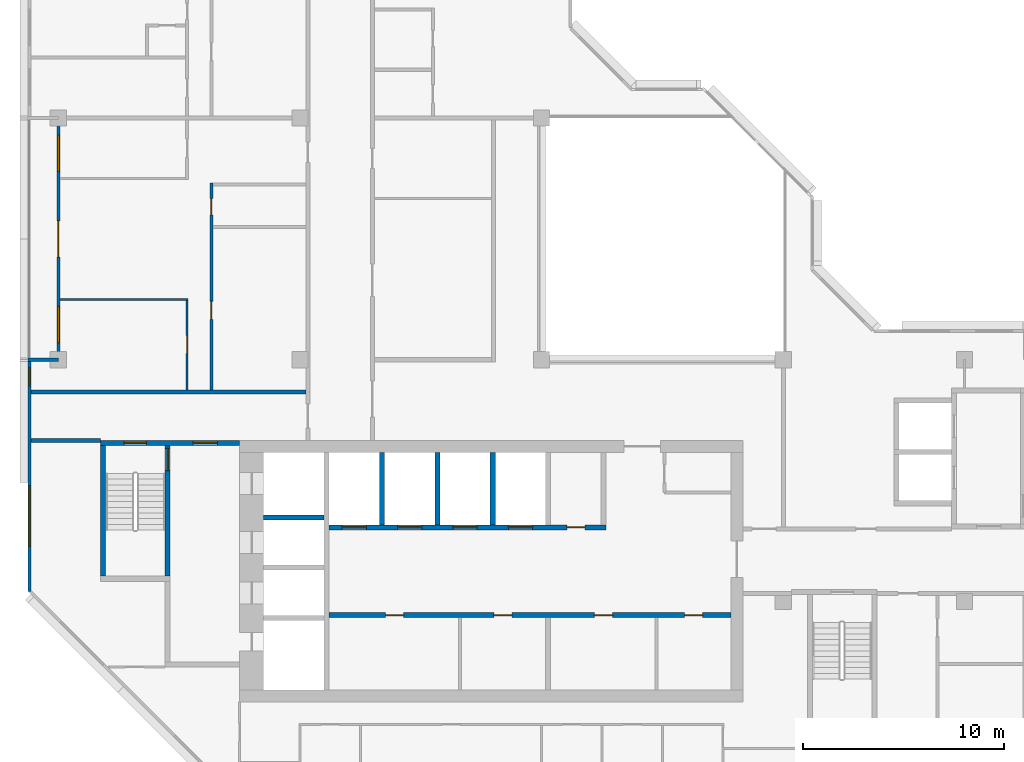
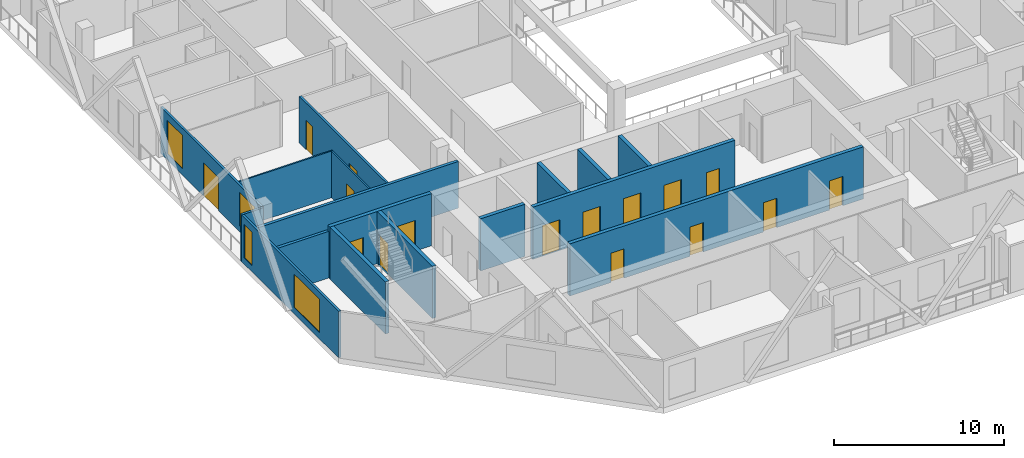
# One storey, part 5 of 13: 17 walls, 16 doors, 4 windows, 20 openings.
"""IFC4 building model written with IfcOpenShell, lengths in metres."""

from ifc_helpers import new_model, si_unit, direction, frame, frame_2d, origin, place, context, subcontext, project, spatial, rectangle, extrude, material, layer, layer_set, type_object, element, fill, save


model = new_model("IFC4")

# Units and contexts
model_context = context("Model", 3, precision=1e-05, world=origin(), true_north=direction((0.0, 1.0)))
body_context = subcontext(model_context, "Body", "Model", "MODEL_VIEW")
ifc_project = project(units=[si_unit("LENGTHUNIT", "METRE"), si_unit("AREAUNIT", "SQUARE_METRE"), si_unit("VOLUMEUNIT", "CUBIC_METRE"), si_unit("PLANEANGLEUNIT", "RADIAN"), si_unit("MASSUNIT", "GRAM", prefix="KILO")], contexts=[model_context])

# Site, building, storey
site_placement = place(None, origin())
site = spatial("IfcSite", under=ifc_project, at=site_placement, CompositionType="ELEMENT")
building_placement = place(site_placement, origin())
building = spatial("IfcBuilding", under=site, at=building_placement, Name="Chenar Terraces", CompositionType="ELEMENT")
storey_placement = place(building_placement, frame((0.0, 0.0, 288.39990234375)))
storey = spatial("IfcBuildingStorey", under=building, at=storey_placement, Name="L67", CompositionType="ELEMENT", Elevation=288.39990234375)

# Wall, openings, doors
ifc_material_1 = material(Name="Concrete C50/60", Category="concrete")
ifc_layer_1 = layer(ifc_material_1, 0.25)
ifc_layer_set_1 = layer_set([ifc_layer_1], Name="Concrete C50/60")
wall_type_1 = type_object("IfcWallType", Name="Core wall 250 Concrete C50/60", PredefinedType="SHEAR", material=ifc_layer_set_1)
wall_1_placement = place(storey_placement, frame((13.449951171875, 11.324951171875, 0.0), z_axis=(0.0, 0.0, 1.0), x_axis=(1.0, 0.0, 0.0)))
wall_1 = element("IfcWall", 1, at=wall_1_placement, inside=storey, type_object=wall_type_1, Name="Core wall SF L67", PredefinedType="SHEAR", context=body_context, shape_type="SweptSolid", body=[
    extrude(rectangle(XDim=19.949951171875, YDim=0.25, at=frame_2d((9.97509765625, 0.0))), origin(), (0.0, 0.0, 1.0), 3.75),
])
opening_1_placement = place(wall_1_placement, frame((2.800048828125, 0.0, 0.0)))
opening_1 = element("IfcOpeningElement", 2, at=opening_1_placement, cuts=wall_1, Name="Opening DL67-C12", PredefinedType="OPENING", context=body_context, shape_type="SweptSolid", body=[
    extrude(rectangle(XDim=0.89990234375, YDim=2.10009765625, at=frame_2d((0.449951171875, 1.050048828125))), frame((0.0, 0.135009765625, 0.0), z_axis=(0.0, -1.0, 0.0), x_axis=(1.0, 0.0, 0.0)), (0.0, 0.0, 1.0), 0.27001953125),
])
opening_2_placement = place(wall_1_placement, frame((8.175048828125, 0.0, 0.0)))
opening_2 = element("IfcOpeningElement", 3, at=opening_2_placement, cuts=wall_1, Name="Opening DL67-C13", PredefinedType="OPENING", context=body_context, shape_type="SweptSolid", body=[
    extrude(rectangle(XDim=0.89990234375, YDim=2.10009765625, at=frame_2d((0.449951171875, 1.050048828125))), frame((0.0, 0.135009765625, 0.0), z_axis=(0.0, -1.0, 0.0), x_axis=(1.0, 0.0, 0.0)), (0.0, 0.0, 1.0), 0.27001953125),
])
opening_3_placement = place(wall_1_placement, frame((13.175048828125, 0.0, 0.0)))
opening_3 = element("IfcOpeningElement", 4, at=opening_3_placement, cuts=wall_1, Name="Opening DL67-C14", PredefinedType="OPENING", context=body_context, shape_type="SweptSolid", body=[
    extrude(rectangle(XDim=0.89990234375, YDim=2.10009765625, at=frame_2d((0.449951171875, 1.050048828125))), frame((0.0, 0.135009765625, 0.0), z_axis=(0.0, -1.0, 0.0), x_axis=(1.0, 0.0, 0.0)), (0.0, 0.0, 1.0), 0.27001953125),
])
opening_4_placement = place(wall_1_placement, frame((17.64990234375, 0.0, 0.0)))
opening_4 = element("IfcOpeningElement", 5, at=opening_4_placement, cuts=wall_1, Name="Opening DL67-C15", PredefinedType="OPENING", context=body_context, shape_type="SweptSolid", body=[
    extrude(rectangle(XDim=0.89990234375, YDim=2.10009765625, at=frame_2d((0.449951171875, 1.050048828125))), frame((0.0, 0.135009765625, 0.0), z_axis=(0.0, -1.0, 0.0), x_axis=(1.0, 0.0, 0.0)), (0.0, 0.0, 1.0), 0.27001953125),
])
ifc_material_2 = material(Name="Steel-framed fire-resisting door leaf", Category="steel")
door_type_1 = type_object("IfcDoorType", Name="Riser fire door FD60 900 x 2100", OperationType="SINGLE_SWING_LEFT", PredefinedType="DOOR", material=ifc_material_2)
door_1_placement = place(opening_1_placement, frame((0.89990234375, 0.0, 0.0), z_axis=(0.0, 0.0, 1.0), x_axis=(-1.0, 0.0, 0.0)))
door_1 = element("IfcDoor", 6, at=door_1_placement, inside=storey, type_object=door_type_1, Name="Core room door DL67-C12", OperationType="SINGLE_SWING_LEFT", OverallHeight=2.10009765625, OverallWidth=0.89990234375, PredefinedType="DOOR", context=body_context, shape_type="SweptSolid", body=[
    extrude(rectangle(XDim=0.89990234375, YDim=2.10009765625, at=frame_2d((0.449951171875, 1.050048828125))), frame((0.0, 0.02490234375, 0.0), z_axis=(0.0, -1.0, 0.0), x_axis=(1.0, 0.0, 0.0)), (0.0, 0.0, 1.0), 0.050048828125),
])
fill(opening_1, door_1)
door_2_placement = place(opening_2_placement, frame((0.89990234375, 0.0, 0.0), z_axis=(0.0, 0.0, 1.0), x_axis=(-1.0, 0.0, 0.0)))
door_2 = element("IfcDoor", 7, at=door_2_placement, inside=storey, type_object=door_type_1, Name="Core room door DL67-C13", OperationType="SINGLE_SWING_LEFT", OverallHeight=2.10009765625, OverallWidth=0.89990234375, PredefinedType="DOOR", context=body_context, shape_type="SweptSolid", body=[
    extrude(rectangle(XDim=0.89990234375, YDim=2.10009765625, at=frame_2d((0.449951171875, 1.050048828125))), frame((0.0, 0.02490234375, 0.0), z_axis=(0.0, -1.0, 0.0), x_axis=(1.0, 0.0, 0.0)), (0.0, 0.0, 1.0), 0.050048828125),
])
fill(opening_2, door_2)
door_3_placement = place(opening_3_placement, frame((0.89990234375, 0.0, 0.0), z_axis=(0.0, 0.0, 1.0), x_axis=(-1.0, 0.0, 0.0)))
door_3 = element("IfcDoor", 8, at=door_3_placement, inside=storey, type_object=door_type_1, Name="Core room door DL67-C14", OperationType="SINGLE_SWING_LEFT", OverallHeight=2.10009765625, OverallWidth=0.89990234375, PredefinedType="DOOR", context=body_context, shape_type="SweptSolid", body=[
    extrude(rectangle(XDim=0.89990234375, YDim=2.10009765625, at=frame_2d((0.449951171875, 1.050048828125))), frame((0.0, 0.02490234375, 0.0), z_axis=(0.0, -1.0, 0.0), x_axis=(1.0, 0.0, 0.0)), (0.0, 0.0, 1.0), 0.050048828125),
])
fill(opening_3, door_3)
door_4_placement = place(opening_4_placement, frame((0.89990234375, 0.0, 0.0), z_axis=(0.0, 0.0, 1.0), x_axis=(-1.0, 0.0, 0.0)))
door_4 = element("IfcDoor", 9, at=door_4_placement, inside=storey, type_object=door_type_1, Name="Core room door DL67-C15", OperationType="SINGLE_SWING_RIGHT", OverallHeight=2.10009765625, OverallWidth=0.89990234375, PredefinedType="DOOR", context=body_context, shape_type="SweptSolid", body=[
    extrude(rectangle(XDim=0.89990234375, YDim=2.10009765625, at=frame_2d((0.449951171875, 1.050048828125))), frame((0.0, 0.02490234375, 0.0), z_axis=(0.0, -1.0, 0.0), x_axis=(1.0, 0.0, 0.0)), (0.0, 0.0, 1.0), 0.050048828125),
])
fill(opening_4, door_4)

wall_2_placement = place(storey_placement, frame((13.449951171875, 15.675048828125, 0.0), z_axis=(0.0, 0.0, 1.0), x_axis=(1.0, 0.0, 0.0)))
wall_2 = element("IfcWall", 10, at=wall_2_placement, inside=storey, type_object=wall_type_1, Name="Core wall NF L67", PredefinedType="SHEAR", context=body_context, shape_type="SweptSolid", body=[
    extrude(rectangle(XDim=13.75, YDim=0.25, at=frame_2d((6.875, 0.0))), origin(), (0.0, 0.0, 1.0), 3.75),
])
opening_5_placement = place(wall_2_placement, frame((0.64990234375, 0.0, 0.0)))
opening_5 = element("IfcOpeningElement", 11, at=opening_5_placement, cuts=wall_2, Name="Opening DL67-LD1", PredefinedType="OPENING", context=body_context, shape_type="SweptSolid", body=[
    extrude(rectangle(XDim=1.199951171875, YDim=2.199951171875, at=frame_2d((0.60009765625, 1.10009765625))), frame((0.0, 0.135009765625, 0.0), z_axis=(0.0, -1.0, 0.0), x_axis=(1.0, 0.0, 0.0)), (0.0, 0.0, 1.0), 0.27001953125),
])
opening_6_placement = place(wall_2_placement, frame((3.39990234375, 0.0, 0.0)))
opening_6 = element("IfcOpeningElement", 12, at=opening_6_placement, cuts=wall_2, Name="Opening DL67-LD2", PredefinedType="OPENING", context=body_context, shape_type="SweptSolid", body=[
    extrude(rectangle(XDim=1.199951171875, YDim=2.199951171875, at=frame_2d((0.60009765625, 1.10009765625))), frame((0.0, 0.135009765625, 0.0), z_axis=(0.0, -1.0, 0.0), x_axis=(1.0, 0.0, 0.0)), (0.0, 0.0, 1.0), 0.27001953125),
])
opening_7_placement = place(wall_2_placement, frame((6.14990234375, 0.0, 0.0)))
opening_7 = element("IfcOpeningElement", 13, at=opening_7_placement, cuts=wall_2, Name="Opening DL67-LD3", PredefinedType="OPENING", context=body_context, shape_type="SweptSolid", body=[
    extrude(rectangle(XDim=1.199951171875, YDim=2.199951171875, at=frame_2d((0.60009765625, 1.10009765625))), frame((0.0, 0.135009765625, 0.0), z_axis=(0.0, -1.0, 0.0), x_axis=(1.0, 0.0, 0.0)), (0.0, 0.0, 1.0), 0.27001953125),
])
opening_8_placement = place(wall_2_placement, frame((8.89990234375, 0.0, 0.0)))
opening_8 = element("IfcOpeningElement", 14, at=opening_8_placement, cuts=wall_2, Name="Opening DL67-LD4", PredefinedType="OPENING", context=body_context, shape_type="SweptSolid", body=[
    extrude(rectangle(XDim=1.199951171875, YDim=2.199951171875, at=frame_2d((0.60009765625, 1.10009765625))), frame((0.0, 0.135009765625, 0.0), z_axis=(0.0, -1.0, 0.0), x_axis=(1.0, 0.0, 0.0)), (0.0, 0.0, 1.0), 0.27001953125),
])
opening_9_placement = place(wall_2_placement, frame((11.800048828125, 0.0, 0.0)))
opening_9 = element("IfcOpeningElement", 15, at=opening_9_placement, cuts=wall_2, Name="Opening DL67-C16", PredefinedType="OPENING", context=body_context, shape_type="SweptSolid", body=[
    extrude(rectangle(XDim=0.89990234375, YDim=2.10009765625, at=frame_2d((0.449951171875, 1.050048828125))), frame((0.0, 0.135009765625, 0.0), z_axis=(0.0, -1.0, 0.0), x_axis=(1.0, 0.0, 0.0)), (0.0, 0.0, 1.0), 0.27001953125),
])
ifc_material_3 = material(Name="Stainless steel", Category="steel")
door_type_2 = type_object("IfcDoorType", Name="Lift landing door 1200 x 2200 sliding", OperationType="DOUBLE_DOOR_SLIDING", PredefinedType="DOOR", material=ifc_material_3)
door_5_placement = place(opening_5_placement, origin())
door_5 = element("IfcDoor", 16, at=door_5_placement, inside=storey, type_object=door_type_2, Name="Landing door H1", OperationType="DOUBLE_DOOR_SLIDING", OverallHeight=2.199951171875, OverallWidth=1.199951171875, PredefinedType="DOOR", context=body_context, shape_type="SweptSolid", body=[
    extrude(rectangle(XDim=1.199951171875, YDim=2.199951171875, at=frame_2d((0.60009765625, 1.10009765625))), frame((0.0, 0.02490234375, 0.0), z_axis=(0.0, -1.0, 0.0), x_axis=(1.0, 0.0, 0.0)), (0.0, 0.0, 1.0), 0.050048828125),
])
fill(opening_5, door_5)
door_6_placement = place(opening_6_placement, origin())
door_6 = element("IfcDoor", 17, at=door_6_placement, inside=storey, type_object=door_type_2, Name="Landing door H2", OperationType="DOUBLE_DOOR_SLIDING", OverallHeight=2.199951171875, OverallWidth=1.199951171875, PredefinedType="DOOR", context=body_context, shape_type="SweptSolid", body=[
    extrude(rectangle(XDim=1.199951171875, YDim=2.199951171875, at=frame_2d((0.60009765625, 1.10009765625))), frame((0.0, 0.02490234375, 0.0), z_axis=(0.0, -1.0, 0.0), x_axis=(1.0, 0.0, 0.0)), (0.0, 0.0, 1.0), 0.050048828125),
])
fill(opening_6, door_6)
door_7_placement = place(opening_7_placement, origin())
door_7 = element("IfcDoor", 18, at=door_7_placement, inside=storey, type_object=door_type_2, Name="Landing door H3", OperationType="DOUBLE_DOOR_SLIDING", OverallHeight=2.199951171875, OverallWidth=1.199951171875, PredefinedType="DOOR", context=body_context, shape_type="SweptSolid", body=[
    extrude(rectangle(XDim=1.199951171875, YDim=2.199951171875, at=frame_2d((0.60009765625, 1.10009765625))), frame((0.0, 0.02490234375, 0.0), z_axis=(0.0, -1.0, 0.0), x_axis=(1.0, 0.0, 0.0)), (0.0, 0.0, 1.0), 0.050048828125),
])
fill(opening_7, door_7)
door_8_placement = place(opening_8_placement, origin())
door_8 = element("IfcDoor", 19, at=door_8_placement, inside=storey, type_object=door_type_2, Name="Landing door H4", OperationType="DOUBLE_DOOR_SLIDING", OverallHeight=2.199951171875, OverallWidth=1.199951171875, PredefinedType="DOOR", context=body_context, shape_type="SweptSolid", body=[
    extrude(rectangle(XDim=1.199951171875, YDim=2.199951171875, at=frame_2d((0.60009765625, 1.10009765625))), frame((0.0, 0.02490234375, 0.0), z_axis=(0.0, -1.0, 0.0), x_axis=(1.0, 0.0, 0.0)), (0.0, 0.0, 1.0), 0.050048828125),
])
fill(opening_8, door_8)
door_9_placement = place(opening_9_placement, origin())
door_9 = element("IfcDoor", 20, at=door_9_placement, inside=storey, type_object=door_type_1, Name="Core room door DL67-C16", OperationType="SINGLE_SWING_RIGHT", OverallHeight=2.10009765625, OverallWidth=0.89990234375, PredefinedType="DOOR", context=body_context, shape_type="SweptSolid", body=[
    extrude(rectangle(XDim=0.89990234375, YDim=2.10009765625, at=frame_2d((0.449951171875, 1.050048828125))), frame((0.0, 0.02490234375, 0.0), z_axis=(0.0, -1.0, 0.0), x_axis=(1.0, 0.0, 0.0)), (0.0, 0.0, 1.0), 0.050048828125),
])
fill(opening_9, door_9)

# Walls
wall_3_placement = place(storey_placement, frame((10.199951171875, 16.175048828125, 0.0), z_axis=(0.0, 0.0, 1.0), x_axis=(1.0, 0.0, 0.0)))
element("IfcWall", 21, at=wall_3_placement, inside=storey, type_object=wall_type_1, Name="Core wall HW2 L67", PredefinedType="SHEAR", context=body_context, shape_type="SweptSolid", body=[
    extrude(rectangle(XDim=3.0, YDim=0.25, at=frame_2d((1.5, 0.0))), origin(), (0.0, 0.0, 1.0), 3.75),
])
for number, where, z_axis, x_axis, name in (
    (22, (16.074951171875, 15.800048828125, 0.0), (0.0, 0.0, 1.0), (0.0, 1.0, 0.0), "Core wall NS0 L67"),
    (23, (18.824951171875, 15.800048828125, 0.0), (0.0, 0.0, 1.0), (0.0, 1.0, 0.0), "Core wall NS1 L67"),
    (24, (21.574951171875, 15.800048828125, 0.0), (0.0, 0.0, 1.0), (0.0, 1.0, 0.0), "Core wall NS2 L67"),
):
    element("IfcWall", number, at=place(storey_placement, frame(where, z_axis=z_axis, x_axis=x_axis)), inside=storey, type_object=wall_type_1, Name=name, PredefinedType="SHEAR", context=body_context, shape_type="SweptSolid", body=[
        extrude(rectangle(XDim=3.599853515625, YDim=0.25, at=frame_2d((1.7998046875, 0.0))), origin(), (0.0, 0.0, 1.0), 3.75),
    ])

# Wall, openings, doors
wall_4_placement = place(storey_placement, frame((2.10009765625, 19.875, 0.0), z_axis=(0.0, 0.0, 1.0), x_axis=(1.0, 0.0, 0.0)))
wall_4 = element("IfcWall", 25, at=wall_4_placement, inside=storey, type_object=wall_type_1, Name="Core wall A_N L67", PredefinedType="SHEAR", context=body_context, shape_type="SweptSolid", body=[
    extrude(rectangle(XDim=6.89990234375, YDim=0.25, at=frame_2d((3.449951171875, 0.0))), origin(), (0.0, 0.0, 1.0), 3.75),
])
opening_10_placement = place(wall_4_placement, frame((1.175048828125, 0.0, 0.0)))
opening_10 = element("IfcOpeningElement", 26, at=opening_10_placement, cuts=wall_4, Name="Opening DL67-C5", PredefinedType="OPENING", context=body_context, shape_type="SweptSolid", body=[
    extrude(rectangle(XDim=1.10009765625, YDim=2.199951171875, at=frame_2d((0.550048828125, 1.10009765625))), frame((0.0, 0.135009765625, 0.0), z_axis=(0.0, -1.0, 0.0), x_axis=(1.0, 0.0, 0.0)), (0.0, 0.0, 1.0), 0.27001953125),
])
opening_11_placement = place(wall_4_placement, frame((4.60009765625, 0.0, 0.0)))
opening_11 = element("IfcOpeningElement", 27, at=opening_11_placement, cuts=wall_4, Name="Opening DL67-C6", PredefinedType="OPENING", context=body_context, shape_type="SweptSolid", body=[
    extrude(rectangle(XDim=1.199951171875, YDim=2.199951171875, at=frame_2d((0.60009765625, 1.10009765625))), frame((0.0, 0.135009765625, 0.0), z_axis=(0.0, -1.0, 0.0), x_axis=(1.0, 0.0, 0.0)), (0.0, 0.0, 1.0), 0.27001953125),
])
ifc_material_4 = material(Name="Steel-framed fire-resisting door leaf", Category="steel")
door_type_3 = type_object("IfcDoorType", Name="Lobby fire door FD60 1200 x 2200", OperationType="SINGLE_SWING_LEFT", PredefinedType="DOOR", material=ifc_material_4)
door_10_placement = place(opening_11_placement, frame((1.199951171875, 0.0, 0.0), z_axis=(0.0, 0.0, 1.0), x_axis=(-1.0, 0.0, 0.0)))
door_10 = element("IfcDoor", 28, at=door_10_placement, inside=storey, type_object=door_type_3, Name="Core door DL67-C6", OperationType="SINGLE_SWING_LEFT", OverallHeight=2.199951171875, OverallWidth=1.199951171875, PredefinedType="DOOR", context=body_context, shape_type="SweptSolid", body=[
    extrude(rectangle(XDim=1.199951171875, YDim=2.199951171875, at=frame_2d((0.60009765625, 1.10009765625))), frame((0.0, 0.02490234375, 0.0), z_axis=(0.0, -1.0, 0.0), x_axis=(1.0, 0.0, 0.0)), (0.0, 0.0, 1.0), 0.050048828125),
])
fill(opening_11, door_10)
ifc_material_5 = material(Name="Steel-framed fire-resisting door leaf", Category="steel")
door_type_4 = type_object("IfcDoorType", Name="Stair fire door FD60 1100 x 2200", OperationType="SINGLE_SWING_LEFT", PredefinedType="DOOR", material=ifc_material_5)
door_11_placement = place(opening_10_placement, origin())
door_11 = element("IfcDoor", 29, at=door_11_placement, inside=storey, type_object=door_type_4, Name="Stair door DL67-C5", OperationType="SINGLE_SWING_LEFT", OverallHeight=2.199951171875, OverallWidth=1.10009765625, PredefinedType="DOOR", context=body_context, shape_type="SweptSolid", body=[
    extrude(rectangle(XDim=1.10009765625, YDim=2.199951171875, at=frame_2d((0.550048828125, 1.10009765625))), frame((0.0, 0.02490234375, 0.0), z_axis=(0.0, -1.0, 0.0), x_axis=(1.0, 0.0, 0.0)), (0.0, 0.0, 1.0), 0.050048828125),
])
fill(opening_10, door_11)

# Wall
wall_5_placement = place(storey_placement, frame((2.22509765625, 13.25, 0.0), z_axis=(0.0, 0.0, 1.0), x_axis=(0.0, 1.0, 0.0)))
element("IfcWall", 30, at=wall_5_placement, inside=storey, type_object=wall_type_1, Name="Core wall ST1_W L67", PredefinedType="SHEAR", context=body_context, shape_type="SweptSolid", body=[
    extrude(rectangle(XDim=6.5, YDim=0.25, at=frame_2d((3.25, 0.0))), origin(), (0.0, 0.0, 1.0), 3.75),
])

# Wall, opening, door
wall_6_placement = place(storey_placement, frame((5.425048828125, 13.25, 0.0), z_axis=(0.0, 0.0, 1.0), x_axis=(0.0, 1.0, 0.0)))
wall_6 = element("IfcWall", 31, at=wall_6_placement, inside=storey, type_object=wall_type_1, Name="Core wall ST1_E L67", PredefinedType="SHEAR", context=body_context, shape_type="SweptSolid", body=[
    extrude(rectangle(XDim=6.5, YDim=0.25, at=frame_2d((3.25, 0.0))), origin(), (0.0, 0.0, 1.0), 3.75),
])
opening_12_placement = place(wall_6_placement, frame((5.25, 0.0, 0.0)))
opening_12 = element("IfcOpeningElement", 32, at=opening_12_placement, cuts=wall_6, Name="Opening DL67-C3", PredefinedType="OPENING", context=body_context, shape_type="SweptSolid", body=[
    extrude(rectangle(XDim=1.10009765625, YDim=2.199951171875, at=frame_2d((0.550048828125, 1.10009765625))), frame((0.0, 0.135009765625, 0.0), z_axis=(0.0, -1.0, 0.0), x_axis=(1.0, 0.0, 0.0)), (0.0, 0.0, 1.0), 0.27001953125),
])
door_12_placement = place(opening_12_placement, origin())
door_12 = element("IfcDoor", 33, at=door_12_placement, inside=storey, type_object=door_type_4, Name="Stair door DL67-C3", OperationType="SINGLE_SWING_RIGHT", OverallHeight=2.199951171875, OverallWidth=1.10009765625, PredefinedType="DOOR", context=body_context, shape_type="SweptSolid", body=[
    extrude(rectangle(XDim=1.10009765625, YDim=2.199951171875, at=frame_2d((0.550048828125, 1.10009765625))), frame((0.0, 0.02490234375, 0.0), z_axis=(0.0, -1.0, 0.0), x_axis=(1.0, 0.0, 0.0)), (0.0, 0.0, 1.0), 0.050048828125),
])
fill(opening_12, door_12)

# Walls
ifc_material_6 = material(Name="Gypsum board on steel studs with fire boards", Category="steel")
ifc_layer_2 = layer(ifc_material_6, 0.199951171875)
ifc_layer_set_2 = layer_set([ifc_layer_2], Name="Gypsum board on steel studs with fire boards")
wall_type_2 = type_object("IfcWallType", Name="Corridor wall 200", PredefinedType="PARTITIONING", material=ifc_layer_set_2)
wall_7_placement = place(storey_placement, frame((-1.35009765625, 20.0, 0.0), z_axis=(0.0, 0.0, 1.0), x_axis=(1.0, 0.0, 0.0)))
element("IfcWall", 34, at=wall_7_placement, inside=storey, type_object=wall_type_2, Name="Partition L67-003", PredefinedType="PARTITIONING", context=body_context, shape_type="SweptSolid", body=[
    extrude(rectangle(XDim=3.4501953125, YDim=0.199951171875, at=frame_2d((1.72509765625, 0.0))), origin(), (0.0, 0.0, 1.0), 3.35009765625),
])
wall_8_placement = place(storey_placement, frame((-1.35009765625, 22.39990234375, 0.0), z_axis=(0.0, 0.0, 1.0), x_axis=(1.0, 0.0, 0.0)))
element("IfcWall", 35, at=wall_8_placement, inside=storey, type_object=wall_type_2, Name="Partition L67-004", PredefinedType="PARTITIONING", context=body_context, shape_type="SweptSolid", body=[
    extrude(rectangle(XDim=13.650146484375, YDim=0.199951171875, at=frame_2d((6.8251953125, 0.0))), origin(), (0.0, 0.0, 1.0), 3.35009765625),
])

# Wall, openings, windows
ifc_material_7 = material(Name="Aluminium framed glazing", Category="aluminium")
ifc_layer_3 = layer(ifc_material_7, 0.14990234375)
ifc_layer_set_3 = layer_set([ifc_layer_3], Name="Aluminium framed glazing")
wall_type_3 = type_object("IfcWallType", Name="Glazed flush facade wall 150", PredefinedType="SOLIDWALL", material=ifc_layer_set_3)
wall_9_placement = place(storey_placement, frame((-1.425048828125, 23.925048828125, 0.0), z_axis=(0.0, 0.0, 1.0), x_axis=(0.0, -1.0, 0.0)))
wall_9 = element("IfcWall", 36, at=wall_9_placement, inside=storey, type_object=wall_type_3, Name="Glazed flush facade wall", PredefinedType="SOLIDWALL", context=body_context, shape_type="SweptSolid", body=[
    extrude(rectangle(XDim=11.425048828125, YDim=0.14990234375, at=frame_2d((5.71240234375, 0.0))), origin(), (0.0, 0.0, 1.0), 3.35009765625),
])
opening_13_placement = place(wall_9_placement, frame((0.3125, 0.0, 0.449951171875)))
opening_13 = element("IfcOpeningElement", 37, at=opening_13_placement, cuts=wall_9, Name="Opening W90x240", PredefinedType="OPENING", context=body_context, shape_type="SweptSolid", body=[
    extrude(rectangle(XDim=0.89990234375, YDim=2.39990234375, at=frame_2d((0.449951171875, 1.199951171875))), frame((0.0, 0.0849609375, 0.0), z_axis=(0.0, -1.0, 0.0), x_axis=(1.0, 0.0, 0.0)), (0.0, 0.0, 1.0), 0.169921875),
])
opening_14_placement = place(wall_9_placement, frame((6.175048828125, 0.0, 0.449951171875)))
opening_14 = element("IfcOpeningElement", 38, at=opening_14_placement, cuts=wall_9, Name="Opening W300x240", PredefinedType="OPENING", context=body_context, shape_type="SweptSolid", body=[
    extrude(rectangle(XDim=3.0, YDim=2.39990234375, at=frame_2d((1.5, 1.199951171875))), frame((0.0, 0.0849609375, 0.0), z_axis=(0.0, -1.0, 0.0), x_axis=(1.0, 0.0, 0.0)), (0.0, 0.0, 1.0), 0.169921875),
])
ifc_material_8 = material(Name="Low emissivity double glazing, aluminium frame", Category="aluminium")
window_type_1 = type_object("IfcWindowType", Name="Fixed light 3000 x 2400", PartitioningType="SINGLE_PANEL", PredefinedType="WINDOW", material=ifc_material_8)
window_1_placement = place(opening_14_placement, origin())
window_1 = element("IfcWindow", 39, at=window_1_placement, inside=storey, type_object=window_type_1, Name="Window", OverallHeight=2.39990234375, OverallWidth=3.0, PartitioningType="SINGLE_PANEL", PredefinedType="WINDOW", context=body_context, shape_type="SweptSolid", body=[
    extrude(rectangle(XDim=3.0, YDim=2.39990234375, at=frame_2d((1.5, 1.199951171875))), frame((0.0, 0.030029296875, 0.0), z_axis=(0.0, -1.0, 0.0), x_axis=(1.0, 0.0, 0.0)), (0.0, 0.0, 1.0), 0.06005859375),
])
fill(opening_14, window_1)
ifc_material_9 = material(Name="Low emissivity double glazing, aluminium frame", Category="aluminium")
window_type_2 = type_object("IfcWindowType", Name="Fixed light 900 x 2400", PartitioningType="SINGLE_PANEL", PredefinedType="WINDOW", material=ifc_material_9)
window_2_placement = place(opening_13_placement, origin())
window_2 = element("IfcWindow", 40, at=window_2_placement, inside=storey, type_object=window_type_2, Name="Window", OverallHeight=2.39990234375, OverallWidth=0.89990234375, PartitioningType="SINGLE_PANEL", PredefinedType="WINDOW", context=body_context, shape_type="SweptSolid", body=[
    extrude(rectangle(XDim=0.89990234375, YDim=2.39990234375, at=frame_2d((0.449951171875, 1.199951171875))), frame((0.0, 0.030029296875, 0.0), z_axis=(0.0, -1.0, 0.0), x_axis=(1.0, 0.0, 0.0)), (0.0, 0.0, 1.0), 0.06005859375),
])
fill(opening_13, window_2)

# Wall, openings, windows, door
ifc_material_10 = material(Name="Aluminium framed glazing", Category="aluminium")
ifc_layer_4 = layer(ifc_material_10, 0.14990234375)
ifc_layer_set_4 = layer_set([ifc_layer_4], Name="Aluminium framed glazing")
wall_type_4 = type_object("IfcWallType", Name="Glazed loggia back wall 150", PredefinedType="SOLIDWALL", material=ifc_layer_set_4)
wall_10_placement = place(storey_placement, frame((0.0, 35.925048828125, 0.0), z_axis=(0.0, 0.0, 1.0), x_axis=(0.0, -1.0, 0.0)))
wall_10 = element("IfcWall", 41, at=wall_10_placement, inside=storey, type_object=wall_type_4, Name="Glazed loggia back wall", PredefinedType="SOLIDWALL", context=body_context, shape_type="SweptSolid", body=[
    extrude(rectangle(XDim=11.85009765625, YDim=0.14990234375, at=frame_2d((5.925048828125, 0.0))), origin(), (0.0, 0.0, 1.0), 3.35009765625),
])
opening_15_placement = place(wall_10_placement, frame((0.77490234375, 0.0, 0.449951171875)))
opening_15 = element("IfcOpeningElement", 42, at=opening_15_placement, cuts=wall_10, Name="Opening W180x240", PredefinedType="OPENING", context=body_context, shape_type="SweptSolid", body=[
    extrude(rectangle(XDim=1.800048828125, YDim=2.39990234375, at=frame_2d((0.89990234375, 1.199951171875))), frame((0.0, 0.0849609375, 0.0), z_axis=(0.0, -1.0, 0.0), x_axis=(1.0, 0.0, 0.0)), (0.0, 0.0, 1.0), 0.169921875),
])
opening_16_placement = place(wall_10_placement, frame((5.02490234375, 0.0, 0.0)))
opening_16 = element("IfcOpeningElement", 43, at=opening_16_placement, cuts=wall_10, Name="Opening DL67-G4", PredefinedType="OPENING", context=body_context, shape_type="SweptSolid", body=[
    extrude(rectangle(XDim=1.800048828125, YDim=2.39990234375, at=frame_2d((0.89990234375, 1.199951171875))), frame((0.0, 0.0849609375, 0.0), z_axis=(0.0, -1.0, 0.0), x_axis=(1.0, 0.0, 0.0)), (0.0, 0.0, 1.0), 0.169921875),
])
opening_17_placement = place(wall_10_placement, frame((9.27490234375, 0.0, 0.449951171875)))
opening_17 = element("IfcOpeningElement", 44, at=opening_17_placement, cuts=wall_10, Name="Opening W180x240", PredefinedType="OPENING", context=body_context, shape_type="SweptSolid", body=[
    extrude(rectangle(XDim=1.800048828125, YDim=2.39990234375, at=frame_2d((0.89990234375, 1.199951171875))), frame((0.0, 0.0849609375, 0.0), z_axis=(0.0, -1.0, 0.0), x_axis=(1.0, 0.0, 0.0)), (0.0, 0.0, 1.0), 0.169921875),
])
ifc_material_11 = material(Name="Low emissivity double glazing, aluminium frame", Category="aluminium")
window_type_3 = type_object("IfcWindowType", Name="Fixed light 1800 x 2400", PartitioningType="SINGLE_PANEL", PredefinedType="WINDOW", material=ifc_material_11)
window_3_placement = place(opening_15_placement, origin())
window_3 = element("IfcWindow", 45, at=window_3_placement, inside=storey, type_object=window_type_3, Name="Window", OverallHeight=2.39990234375, OverallWidth=1.800048828125, PartitioningType="SINGLE_PANEL", PredefinedType="WINDOW", context=body_context, shape_type="SweptSolid", body=[
    extrude(rectangle(XDim=1.800048828125, YDim=2.39990234375, at=frame_2d((0.89990234375, 1.199951171875))), frame((0.0, 0.030029296875, 0.0), z_axis=(0.0, -1.0, 0.0), x_axis=(1.0, 0.0, 0.0)), (0.0, 0.0, 1.0), 0.06005859375),
])
fill(opening_15, window_3)
window_4_placement = place(opening_17_placement, origin())
window_4 = element("IfcWindow", 46, at=window_4_placement, inside=storey, type_object=window_type_3, Name="Window", OverallHeight=2.39990234375, OverallWidth=1.800048828125, PartitioningType="SINGLE_PANEL", PredefinedType="WINDOW", context=body_context, shape_type="SweptSolid", body=[
    extrude(rectangle(XDim=1.800048828125, YDim=2.39990234375, at=frame_2d((0.89990234375, 1.199951171875))), frame((0.0, 0.030029296875, 0.0), z_axis=(0.0, -1.0, 0.0), x_axis=(1.0, 0.0, 0.0)), (0.0, 0.0, 1.0), 0.06005859375),
])
fill(opening_17, window_4)
ifc_material_12 = material(Name="Low emissivity double glazing, aluminium frame", Category="aluminium")
door_type_5 = type_object("IfcDoorType", Name="Loggia glazed double door 1800 x 2400", OperationType="DOUBLE_DOOR_SINGLE_SWING", PredefinedType="DOOR", material=ifc_material_12)
door_13_placement = place(opening_16_placement, frame((1.800048828125, 0.0, 0.0), z_axis=(0.0, 0.0, 1.0), x_axis=(-1.0, 0.0, 0.0)))
door_13 = element("IfcDoor", 47, at=door_13_placement, inside=storey, type_object=door_type_5, Name="Loggia glazed door", OperationType="DOUBLE_DOOR_SINGLE_SWING", OverallHeight=2.39990234375, OverallWidth=1.800048828125, PredefinedType="DOOR", context=body_context, shape_type="SweptSolid", body=[
    extrude(rectangle(XDim=1.800048828125, YDim=2.39990234375, at=frame_2d((0.89990234375, 1.199951171875))), frame((0.0, 0.02490234375, 0.0), z_axis=(0.0, -1.0, 0.0), x_axis=(1.0, 0.0, 0.0)), (0.0, 0.0, 1.0), 0.050048828125),
])
fill(opening_16, door_13)

# Wall
ifc_material_13 = material(Name="Gypsum board on steel studs", Category="steel")
ifc_layer_5 = layer(ifc_material_13, 0.10009765625)
ifc_layer_set_5 = layer_set([ifc_layer_5], Name="Gypsum board on steel studs")
wall_type_5 = type_object("IfcWallType", Name="Gypsum partition 100", PredefinedType="PARTITIONING", material=ifc_layer_set_5)
wall_11_placement = place(storey_placement, frame((0.073974609375, 27.0, 0.0), z_axis=(0.0, 0.0, 1.0), x_axis=(1.0, 0.0, 0.0)))
element("IfcWall", 48, at=wall_11_placement, inside=storey, type_object=wall_type_5, Name="Partition L67-007", PredefinedType="PARTITIONING", context=body_context, shape_type="SweptSolid", body=[
    extrude(rectangle(XDim=6.3759765625, YDim=0.10009765625, at=frame_2d((3.18798828125, 0.0))), origin(), (0.0, 0.0, 1.0), 3.35009765625),
])

# Wall, opening, door
wall_12_placement = place(storey_placement, frame((6.39990234375, 22.5, 0.0), z_axis=(0.0, 0.0, 1.0), x_axis=(0.0, 1.0, 0.0)))
wall_12 = element("IfcWall", 49, at=wall_12_placement, inside=storey, type_object=wall_type_5, Name="Partition L67-014", PredefinedType="PARTITIONING", context=body_context, shape_type="SweptSolid", body=[
    extrude(rectangle(XDim=4.449951171875, YDim=0.10009765625, at=frame_2d((2.22509765625, 0.0))), origin(), (0.0, 0.0, 1.0), 3.35009765625),
])
opening_18_placement = place(wall_12_placement, frame((1.800048828125, 0.0, 0.0)))
opening_18 = element("IfcOpeningElement", 50, at=opening_18_placement, cuts=wall_12, Name="Opening DL67-49", PredefinedType="OPENING", context=body_context, shape_type="SweptSolid", body=[
    extrude(rectangle(XDim=0.89990234375, YDim=2.10009765625, at=frame_2d((0.449951171875, 1.050048828125))), frame((0.0, 0.06005859375, 0.0), z_axis=(0.0, -1.0, 0.0), x_axis=(1.0, 0.0, 0.0)), (0.0, 0.0, 1.0), 0.1201171875),
])
ifc_material_14 = material(Name="Veneered timber door leaf", Category="wood")
door_type_6 = type_object("IfcDoorType", Name="Door 900 x 2100", OperationType="SINGLE_SWING_LEFT", PredefinedType="DOOR", material=ifc_material_14)
door_14_placement = place(opening_18_placement, origin())
door_14 = element("IfcDoor", 51, at=door_14_placement, inside=storey, type_object=door_type_6, Name="Door DL67-49", OperationType="SINGLE_SWING_RIGHT", OverallHeight=2.10009765625, OverallWidth=0.89990234375, PredefinedType="DOOR", context=body_context, shape_type="SweptSolid", body=[
    extrude(rectangle(XDim=0.89990234375, YDim=2.10009765625, at=frame_2d((0.449951171875, 1.050048828125))), frame((0.0, 0.02490234375, 0.0), z_axis=(0.0, -1.0, 0.0), x_axis=(1.0, 0.0, 0.0)), (0.0, 0.0, 1.0), 0.050048828125),
])
fill(opening_18, door_14)

# Wall
ifc_material_15 = material(Name="Terracotta cladding on insulated backing", Category="masonry")
ifc_layer_6 = layer(ifc_material_15, 0.14990234375)
ifc_layer_set_6 = layer_set([ifc_layer_6], Name="Terracotta cladding on insulated backing")
wall_type_6 = type_object("IfcWallType", Name="Loggia return wall 150", PredefinedType="SOLIDWALL", material=ifc_layer_set_6)
wall_13_placement = place(storey_placement, frame((-1.5, 24.0, 0.0), z_axis=(0.0, 0.0, 1.0), x_axis=(1.0, 0.0, 0.0)))
element("IfcWall", 52, at=wall_13_placement, inside=storey, type_object=wall_type_6, Name="Loggia return wall", PredefinedType="SOLIDWALL", context=body_context, shape_type="SweptSolid", body=[
    extrude(rectangle(XDim=1.5, YDim=0.14990234375, at=frame_2d((0.75, 0.0))), origin(), (0.0, 0.0, 1.0), 3.35009765625),
])

# Wall, openings, doors
ifc_material_16 = material(Name="Moisture-resistant gypsum board on steel studs", Category="steel")
ifc_layer_7 = layer(ifc_material_16, 0.14990234375)
ifc_layer_set_7 = layer_set([ifc_layer_7], Name="Moisture-resistant gypsum board on steel studs")
wall_type_7 = type_object("IfcWallType", Name="Wet-room partition 150", PredefinedType="PARTITIONING", material=ifc_layer_set_7)
wall_14_placement = place(storey_placement, frame((7.60009765625, 22.5, 0.0), z_axis=(0.0, 0.0, 1.0), x_axis=(0.0, 1.0, 0.0)))
wall_14 = element("IfcWall", 53, at=wall_14_placement, inside=storey, type_object=wall_type_7, Name="Partition L67-017", PredefinedType="PARTITIONING", context=body_context, shape_type="SweptSolid", body=[
    extrude(rectangle(XDim=10.27490234375, YDim=0.14990234375, at=frame_2d((5.137451171875, 0.0))), origin(), (0.0, 0.0, 1.0), 3.35009765625),
])
opening_19_placement = place(wall_14_placement, frame((8.699951171875, 0.0, 0.0)))
opening_19 = element("IfcOpeningElement", 54, at=opening_19_placement, cuts=wall_14, Name="Opening DL67-48", PredefinedType="OPENING", context=body_context, shape_type="SweptSolid", body=[
    extrude(rectangle(XDim=0.800048828125, YDim=2.10009765625, at=frame_2d((0.39990234375, 1.050048828125))), frame((0.0, 0.0849609375, 0.0), z_axis=(0.0, -1.0, 0.0), x_axis=(1.0, 0.0, 0.0)), (0.0, 0.0, 1.0), 0.169921875),
])
opening_20_placement = place(wall_14_placement, frame((3.5, 0.0, 0.0)))
opening_20 = element("IfcOpeningElement", 55, at=opening_20_placement, cuts=wall_14, Name="Opening DL67-51", PredefinedType="OPENING", context=body_context, shape_type="SweptSolid", body=[
    extrude(rectangle(XDim=0.89990234375, YDim=2.10009765625, at=frame_2d((0.449951171875, 1.050048828125))), frame((0.0, 0.0849609375, 0.0), z_axis=(0.0, -1.0, 0.0), x_axis=(1.0, 0.0, 0.0)), (0.0, 0.0, 1.0), 0.169921875),
])
ifc_material_17 = material(Name="Veneered timber door leaf", Category="wood")
door_type_7 = type_object("IfcDoorType", Name="Door 800 x 2100", OperationType="SINGLE_SWING_LEFT", PredefinedType="DOOR", material=ifc_material_17)
door_15_placement = place(opening_19_placement, frame((0.800048828125, 0.0, 0.0), z_axis=(0.0, 0.0, 1.0), x_axis=(-1.0, 0.0, 0.0)))
door_15 = element("IfcDoor", 56, at=door_15_placement, inside=storey, type_object=door_type_7, Name="Door DL67-48", OperationType="SINGLE_SWING_RIGHT", OverallHeight=2.10009765625, OverallWidth=0.800048828125, PredefinedType="DOOR", context=body_context, shape_type="SweptSolid", body=[
    extrude(rectangle(XDim=0.800048828125, YDim=2.10009765625, at=frame_2d((0.39990234375, 1.050048828125))), frame((0.0, 0.02490234375, 0.0), z_axis=(0.0, -1.0, 0.0), x_axis=(1.0, 0.0, 0.0)), (0.0, 0.0, 1.0), 0.050048828125),
])
fill(opening_19, door_15)
door_16_placement = place(opening_20_placement, frame((0.89990234375, 0.0, 0.0), z_axis=(0.0, 0.0, 1.0), x_axis=(-1.0, 0.0, 0.0)))
door_16 = element("IfcDoor", 57, at=door_16_placement, inside=storey, type_object=door_type_6, Name="Door DL67-51", OperationType="SINGLE_SWING_RIGHT", OverallHeight=2.10009765625, OverallWidth=0.89990234375, PredefinedType="DOOR", context=body_context, shape_type="SweptSolid", body=[
    extrude(rectangle(XDim=0.89990234375, YDim=2.10009765625, at=frame_2d((0.449951171875, 1.050048828125))), frame((0.0, 0.02490234375, 0.0), z_axis=(0.0, -1.0, 0.0), x_axis=(1.0, 0.0, 0.0)), (0.0, 0.0, 1.0), 0.050048828125),
])
fill(opening_20, door_16)

save(model, "model.ifc")
